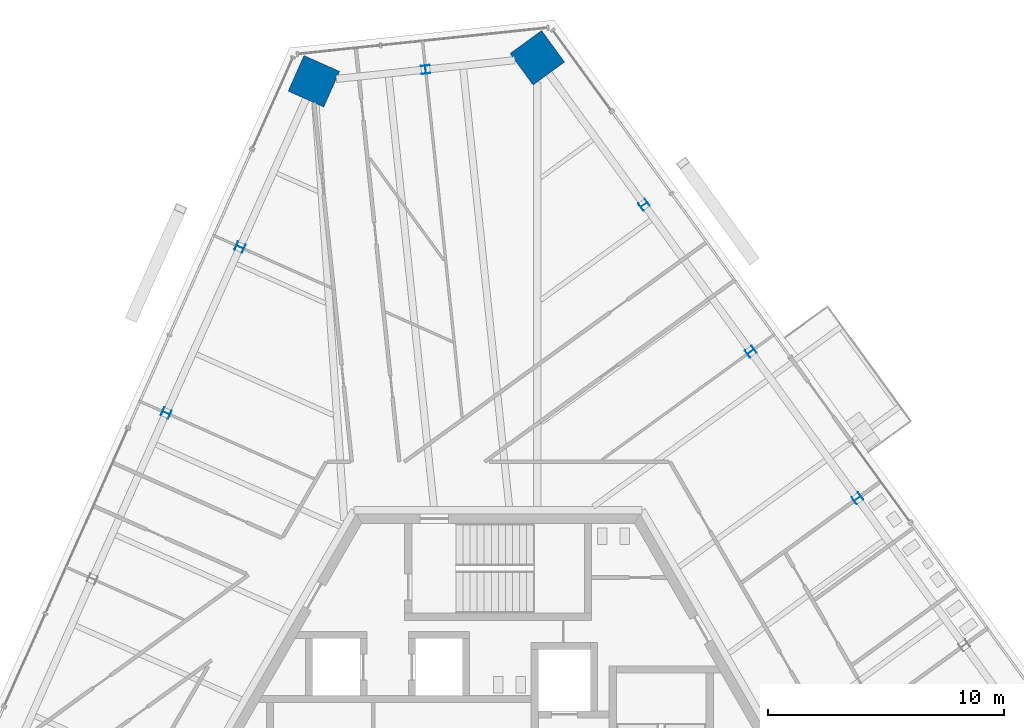
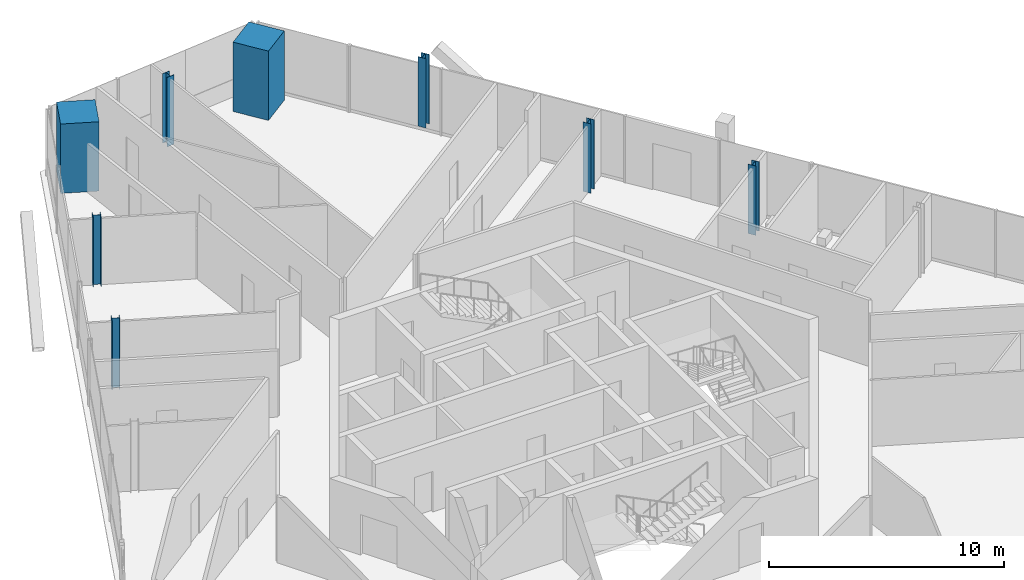
# One storey, part 3 of 19: 8 columns.
"""IFC4 building model written with IfcOpenShell, lengths in metres."""

from ifc_helpers import new_model, si_unit, direction, frame, origin, origin_2d, place, context, subcontext, project, spatial, rectangle, i_section, extrude, source, transform, mapped, material, material_profile, profile_set, type_object, element, save


model = new_model("IFC4")

# Units and contexts
model_context = context("Model", 3, precision=1e-05, world=origin(), true_north=direction((0.0, 1.0)))
body_context = subcontext(model_context, "Body", "Model", "MODEL_VIEW")
ifc_project = project(units=[si_unit("LENGTHUNIT", "METRE"), si_unit("AREAUNIT", "SQUARE_METRE"), si_unit("VOLUMEUNIT", "CUBIC_METRE"), si_unit("PLANEANGLEUNIT", "RADIAN"), si_unit("MASSUNIT", "GRAM", prefix="KILO")], contexts=[model_context])

# Site, building, storey
site_placement = place(None, origin())
site = spatial("IfcSite", under=ifc_project, at=site_placement, CompositionType="ELEMENT")
building_placement = place(site_placement, origin())
building = spatial("IfcBuilding", under=site, at=building_placement, Name="Triune Harvest Tower", CompositionType="ELEMENT")
storey_placement = place(building_placement, frame((0.0, 0.0, 244.89990234375)))
storey = spatial("IfcBuildingStorey", under=building, at=storey_placement, Name="L64", CompositionType="ELEMENT", Elevation=244.89990234375)

# Columns
ifc_material_1 = material(Name="Steel ASTM A992 Gr 50", Category="steel")
ifc_material_profile_1 = material_profile(ifc_material_1, i_section(OverallWidth=0.368408203125, OverallDepth=0.355712890625, WebThickness=0.01123046875, FlangeThickness=0.01806640625, at=origin_2d()), Name="W14x90")
ifc_profile_set_1 = profile_set([ifc_material_profile_1], Name="Steel ASTM A992 Gr 50")
column_type_1 = type_object("IfcColumnType", Name="PC-6 Perimeter column W14x90", PredefinedType="COLUMN", material=ifc_profile_set_1)
shared_shape_1 = source(origin(), body_context, "Body", "SweptSolid", [
    extrude(i_section(OverallWidth=0.368408203125, OverallDepth=0.355712890625, WebThickness=0.01123046875, FlangeThickness=0.01806640625, at=origin_2d()), origin(), (0.0, 0.0, 1.0), 3.599853515625),
])
column_placement = place(storey_placement, frame((6.172119140625, 23.468994140625, 1.2001953125), z_axis=(0.0, 0.0, 1.0), x_axis=(-0.587785252292, 0.809016994375, 0.0)))
element("IfcColumn", 1, at=column_placement, inside=storey, type_object=column_type_1, Name="col/L64/P5", PredefinedType="COLUMN", context=body_context, shape_type="MappedRepresentation", body=[
    mapped(shared_shape_1, transform((0.0, 0.0, 0.0), scale=1.0)),
])
shared_shape_2 = source(origin(), body_context, "Body", "SweptSolid", [
    extrude(i_section(OverallWidth=0.368408203125, OverallDepth=0.355712890625, WebThickness=0.01123046875, FlangeThickness=0.01806640625, at=origin_2d()), origin(), (0.0, 0.0, 1.0), 3.60009765625),
])
for number, where, z_axis, x_axis, name in (
    (2, (15.19970703125, 11.043212890625, 0.0), (0.0, 0.0, 1.0), (-0.587785252292, 0.809016994375, 0.0), "col/L64/P3"),
    (3, (10.685791015625, 17.256103515625, 0.0), (0.0, 0.0, 1.0), (-0.587785252292, 0.809016994375, 0.0), "col/L64/P4"),
    (4, (-3.0673828125, 29.18505859375, 0.0), (0.0, 0.0, 1.0), (-0.994521895368, -0.104528463268, 0.0), "col/L64/P7"),
    (5, (-10.91650390625, 21.6728515625, 0.0), (0.0, 0.0, 1.0), (-0.406738237513, -0.913544747752, 0.0), "col/L64/P9"),
    (6, (-14.0400390625, 14.6572265625, 0.0), (0.0, 0.0, 1.0), (-0.406738237513, -0.913544747752, 0.0), "col/L64/P10"),
):
    element("IfcColumn", number, at=place(storey_placement, frame(where, z_axis=z_axis, x_axis=x_axis)), inside=storey, type_object=column_type_1, Name=name, PredefinedType="COLUMN", context=body_context, shape_type="MappedRepresentation", body=[
        mapped(shared_shape_2, transform((0.0, 0.0, 0.0), scale=1.0)),
    ])
ifc_material_2 = material(Name="Concrete 70 MPa", Category="concrete")
ifc_material_profile_2 = material_profile(ifc_material_2, rectangle(XDim=1.64990234375, YDim=1.64990234375, at=origin_2d()), Name="Composite 1650x1650")
ifc_profile_set_2 = profile_set([ifc_material_profile_2], Name="Concrete 70 MPa")
column_type_2 = type_object("IfcColumnType", Name="MC-6 Mega column Composite 1650x1650", PredefinedType="COLUMN", material=ifc_profile_set_2)
shared_shape_3 = source(origin(), body_context, "Body", "SweptSolid", [
    extrude(rectangle(XDim=1.64990234375, YDim=1.64990234375, at=origin_2d()), origin(), (0.0, 0.0, 1.0), 3.60009765625),
])
for number, where, z_axis, x_axis, name in (
    (7, (1.658203125, 29.681640625, 0.0), (0.0, 0.0, 1.0), (-0.587785252292, 0.809016994375, 0.0), "col/L64/M6"),
    (8, (-7.793212890625, 28.688232421875, 0.0), (0.0, 0.0, 1.0), (-0.406738237513, -0.913544747752, 0.0), "col/L64/M8"),
):
    element("IfcColumn", number, at=place(storey_placement, frame(where, z_axis=z_axis, x_axis=x_axis)), inside=storey, type_object=column_type_2, Name=name, PredefinedType="COLUMN", context=body_context, shape_type="MappedRepresentation", body=[
        mapped(shared_shape_3, transform((0.0, 0.0, 0.0), scale=1.0)),
    ])

save(model, "model.ifc")
